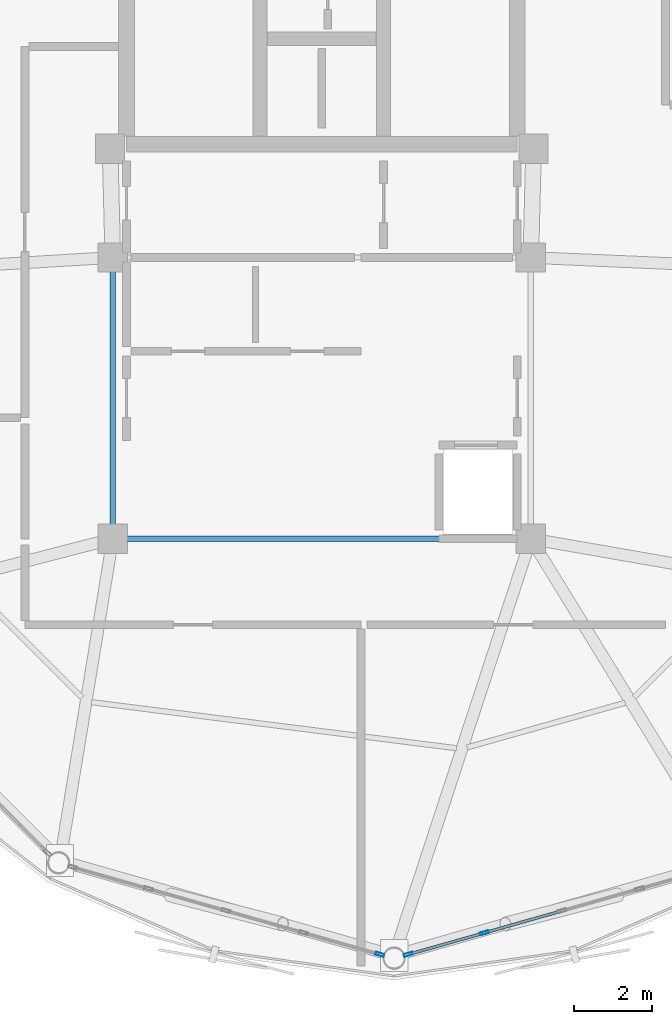
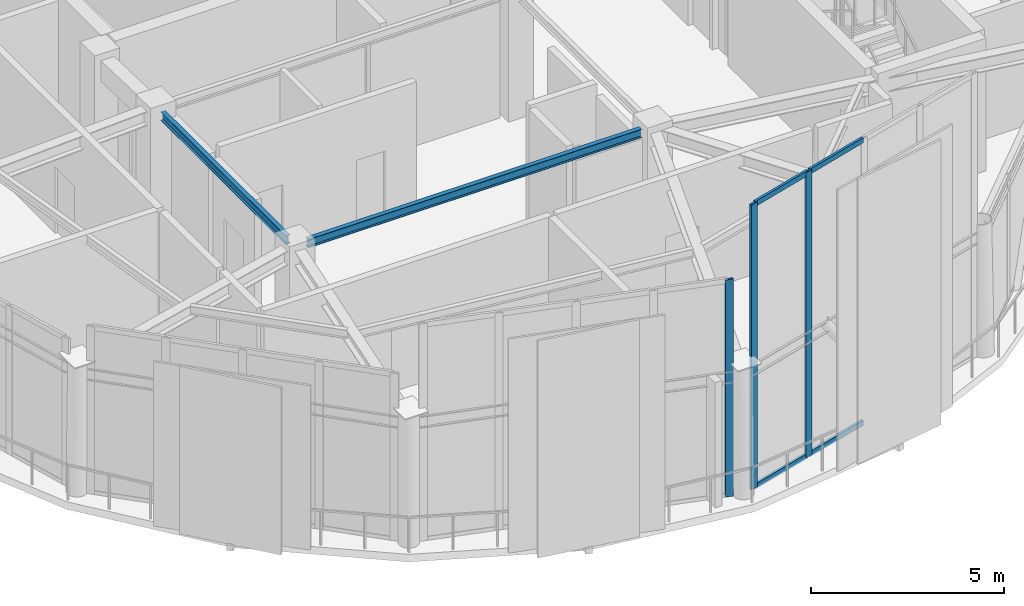
# One storey, part 4 of 20: 7 members, 2 beams, 2 elements without a shape of their own.
"""IFC4 building model written with IfcOpenShell, lengths in metres."""

from ifc_helpers import new_model, si_unit, direction, frame, origin, origin_2d, place, context, subcontext, project, spatial, hollow_rectangle, i_section, extrude, material, layer, layer_set, material_profile, profile_set, type_object, element, aggregate, save


model = new_model("IFC4")

# Units and contexts
model_context = context("Model", 3, precision=1e-05, world=origin(), true_north=direction((0.0, 1.0)))
body_context = subcontext(model_context, "Body", "Model", "MODEL_VIEW")
ifc_project = project(units=[si_unit("LENGTHUNIT", "METRE"), si_unit("AREAUNIT", "SQUARE_METRE"), si_unit("VOLUMEUNIT", "CUBIC_METRE"), si_unit("PLANEANGLEUNIT", "RADIAN"), si_unit("MASSUNIT", "GRAM", prefix="KILO")], contexts=[model_context])

# Site, building, storey
site_placement = place(None, origin())
site = spatial("IfcSite", under=ifc_project, at=site_placement, CompositionType="ELEMENT")
building_placement = place(site_placement, origin())
building = spatial("IfcBuilding", under=site, at=building_placement, Name="Varnakorn Sky Granary", CompositionType="ELEMENT")
storey_placement = place(building_placement, frame((0.0, 0.0, 310.800048828125)))
storey = spatial("IfcBuildingStorey", under=building, at=storey_placement, Name="L79", CompositionType="ELEMENT", Elevation=310.800048828125)

# Beams
ifc_material_1 = material(Name="Steel S355JR", Category="steel")
ifc_material_profile_1 = material_profile(ifc_material_1, i_section(OverallWidth=0.135009765625, OverallDepth=0.27001953125, WebThickness=0.006591796875, FlangeThickness=0.01025390625, at=origin_2d()), Name="IPE 270")
ifc_profile_set_1 = profile_set([ifc_material_profile_1], Name="Steel S355JR")
beam_type = type_object("IfcBeamType", Name="BM-SEC-Z5", PredefinedType="BEAM", material=ifc_profile_set_1)
beam_1_placement = place(storey_placement, frame((-2.35009765625, 0.2451171875, 3.824951171875), z_axis=(0.0, -1.0, 0.0), x_axis=(1.0, 0.0, 0.0)))
element("IfcBeam", 1, at=beam_1_placement, inside=storey, type_object=beam_type, Name="Core Spine Framing Beam 3 L79", PredefinedType="BEAM", context=body_context, shape_type="SweptSolid", body=[
    extrude(i_section(OverallWidth=0.135009765625, OverallDepth=0.27001953125, WebThickness=0.006591796875, FlangeThickness=0.01025390625, at=origin_2d()), origin(), (0.0, 0.0, 1.0), 6.490234375),
])
beam_2_placement = place(storey_placement, frame((-1.9951171875, -6.60009765625, 3.824951171875), z_axis=(1.0, 0.0, 0.0), x_axis=(0.0, 1.0, 0.0)))
element("IfcBeam", 2, at=beam_2_placement, inside=storey, type_object=beam_type, Name="Core Spine Framing Beam 6 L79", PredefinedType="BEAM", context=body_context, shape_type="SweptSolid", body=[
    extrude(i_section(OverallWidth=0.135009765625, OverallDepth=0.27001953125, WebThickness=0.006591796875, FlangeThickness=0.01025390625, at=origin_2d()), origin(), (0.0, 0.0, 1.0), 9.990234375),
])

# Curtain wall, member
ifc_material_2 = material(Name="Anodised Bronze Aluminium Alloy 6063-T6", Category="aluminium")
ifc_layer = layer(ifc_material_2, 0.22998046875, Name="Anodised Bronze Aluminium Alloy 6063-T6")
ifc_layer_set = layer_set([ifc_layer], Name="Anodised Bronze Aluminium Alloy 6063-T6")
curtain_wall_type = type_object("IfcCurtainWallType", Name="CW-LNT-1", PredefinedType="USERDEFINED", material=ifc_layer_set)
curtain_wall_1_placement = place(storey_placement, origin())
curtain_wall_1 = element("IfcCurtainWall", 3, at=curtain_wall_1_placement, inside=storey, type_object=curtain_wall_type, Name="Unitised Curtain Wall CW7 CW-L79-B09", ObjectType="CURTAIN WALL", PredefinedType="USERDEFINED")
ifc_material_profile_2 = material_profile(ifc_material_2, hollow_rectangle(XDim=0.074951171875, YDim=0.219970703125, WallThickness=0.00390625, at=origin_2d()), Name="ALU MULL 75x220")
ifc_profile_set_2 = profile_set([ifc_material_profile_2], Name="Anodised Bronze Aluminium Alloy 6063-T6")
member_type_1 = type_object("IfcMemberType", Name="CW-LNT-1-MULL", PredefinedType="MULLION", material=ifc_profile_set_2)
member_1_placement = place(storey_placement, frame((4.4873046875, -17.239990234375, 0.0), z_axis=(0.0, 0.0, 1.0), x_axis=(-0.273207021896, -0.961955260491, 0.0)))
member_1 = element("IfcMember", 4, at=member_1_placement, type_object=member_type_1, Name="CW7 mullion 1", PredefinedType="MULLION", context=body_context, shape_type="SweptSolid", body=[
    extrude(hollow_rectangle(XDim=0.074951171875, YDim=0.219970703125, WallThickness=0.00390625, at=origin_2d()), origin(), (0.0, 0.0, 1.0), 6.8642578125),
])
aggregate(curtain_wall_1, [member_1])

# Curtain wall, members
curtain_wall_2_placement = place(storey_placement, origin())
curtain_wall_2 = element("IfcCurtainWall", 5, at=curtain_wall_2_placement, inside=storey, type_object=curtain_wall_type, Name="Unitised Curtain Wall CW7 CW-L79-B10", ObjectType="CURTAIN WALL", PredefinedType="USERDEFINED")
member_2_placement = place(storey_placement, frame((7.16162109375, -16.6865234375, 0.0), z_axis=(0.0, 0.0, 1.0), x_axis=(0.273207021896, -0.961955260491, 0.0)))
member_2 = element("IfcMember", 6, at=member_2_placement, type_object=member_type_1, Name="CW7 mullion 4", PredefinedType="MULLION", context=body_context, shape_type="SweptSolid", body=[
    extrude(hollow_rectangle(XDim=0.074951171875, YDim=0.219970703125, WallThickness=0.00390625, at=origin_2d()), origin(), (0.0, 0.0, 1.0), 9.0068359375),
])
member_3_placement = place(storey_placement, frame((5.212646484375, -17.239990234375, 0.0), z_axis=(0.0, 0.0, 1.0), x_axis=(0.273207021896, -0.961955260491, 0.0)))
member_3 = element("IfcMember", 7, at=member_3_placement, type_object=member_type_1, Name="CW7 mullion 5", PredefinedType="MULLION", context=body_context, shape_type="SweptSolid", body=[
    extrude(hollow_rectangle(XDim=0.074951171875, YDim=0.219970703125, WallThickness=0.00390625, at=origin_2d()), origin(), (0.0, 0.0, 1.0), 9.0068359375),
])
ifc_material_profile_3 = material_profile(ifc_material_2, hollow_rectangle(XDim=0.074951171875, YDim=0.159912109375, WallThickness=0.00390625, at=origin_2d()), Name="ALU TRAN 75x160")
ifc_profile_set_3 = profile_set([ifc_material_profile_3], Name="Anodised Bronze Aluminium Alloy 6063-T6")
member_type_2 = type_object("IfcMemberType", Name="CW-LNT-1-TRAN", PredefinedType="USERDEFINED", material=ifc_profile_set_3)
member_4_placement = place(storey_placement, frame((9.1103515625, -16.133056640625, 0.037353515625), z_axis=(-0.961962859849, -0.273180263327, 0.0), x_axis=(0.273180263327, -0.961962859849, 0.0)))
member_4 = element("IfcMember", 8, at=member_4_placement, type_object=member_type_2, Name="CW7 transom 3.1", ObjectType="TRANSOM", PredefinedType="USERDEFINED", context=body_context, shape_type="SweptSolid", body=[
    extrude(hollow_rectangle(XDim=0.074951171875, YDim=0.159912109375, WallThickness=0.00390625, at=origin_2d()), origin(), (0.0, 0.0, 1.0), 1.988525390625),
])
member_5_placement = place(storey_placement, frame((9.1103515625, -16.133056640625, 8.96923828125), z_axis=(-0.961962859849, -0.273180263327, 0.0), x_axis=(0.273180263327, -0.961962859849, 0.0)))
member_5 = element("IfcMember", 9, at=member_5_placement, type_object=member_type_2, Name="CW7 transom 3.2", ObjectType="TRANSOM", PredefinedType="USERDEFINED", context=body_context, shape_type="SweptSolid", body=[
    extrude(hollow_rectangle(XDim=0.074951171875, YDim=0.159912109375, WallThickness=0.00390625, at=origin_2d()), origin(), (0.0, 0.0, 1.0), 1.988525390625),
])
member_6_placement = place(storey_placement, frame((7.12548828125, -16.69677734375, 0.037353515625), z_axis=(-0.961961894465, -0.273183662757, 0.0), x_axis=(0.273183662757, -0.961961894465, 0.0)))
member_6 = element("IfcMember", 10, at=member_6_placement, type_object=member_type_2, Name="CW7 transom 4.1", ObjectType="TRANSOM", PredefinedType="USERDEFINED", context=body_context, shape_type="SweptSolid", body=[
    extrude(hollow_rectangle(XDim=0.074951171875, YDim=0.159912109375, WallThickness=0.00390625, at=origin_2d()), origin(), (0.0, 0.0, 1.0), 1.950927734375),
])
member_7_placement = place(storey_placement, frame((7.12548828125, -16.69677734375, 8.96923828125), z_axis=(-0.961961894465, -0.273183662757, 0.0), x_axis=(0.273183662757, -0.961961894465, 0.0)))
member_7 = element("IfcMember", 11, at=member_7_placement, type_object=member_type_2, Name="CW7 transom 4.2", ObjectType="TRANSOM", PredefinedType="USERDEFINED", context=body_context, shape_type="SweptSolid", body=[
    extrude(hollow_rectangle(XDim=0.074951171875, YDim=0.159912109375, WallThickness=0.00390625, at=origin_2d()), origin(), (0.0, 0.0, 1.0), 1.950927734375),
])
aggregate(curtain_wall_2, [member_2, member_3, member_4, member_5, member_6, member_7])

save(model, "model.ifc")
